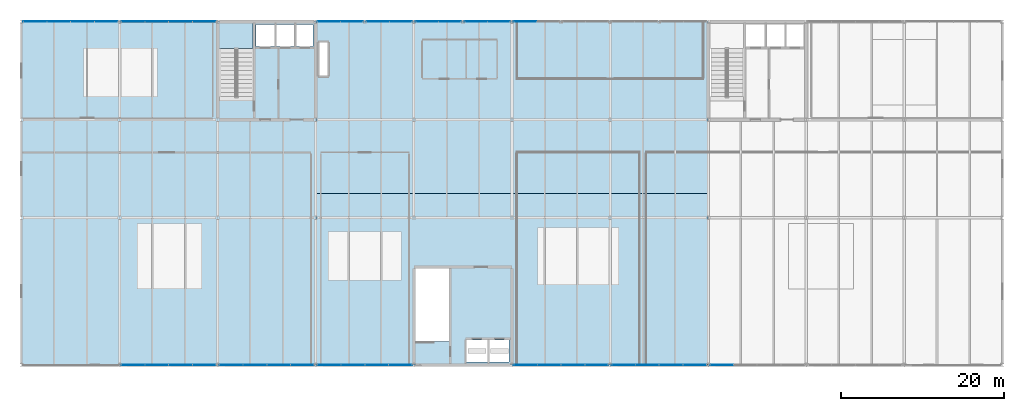
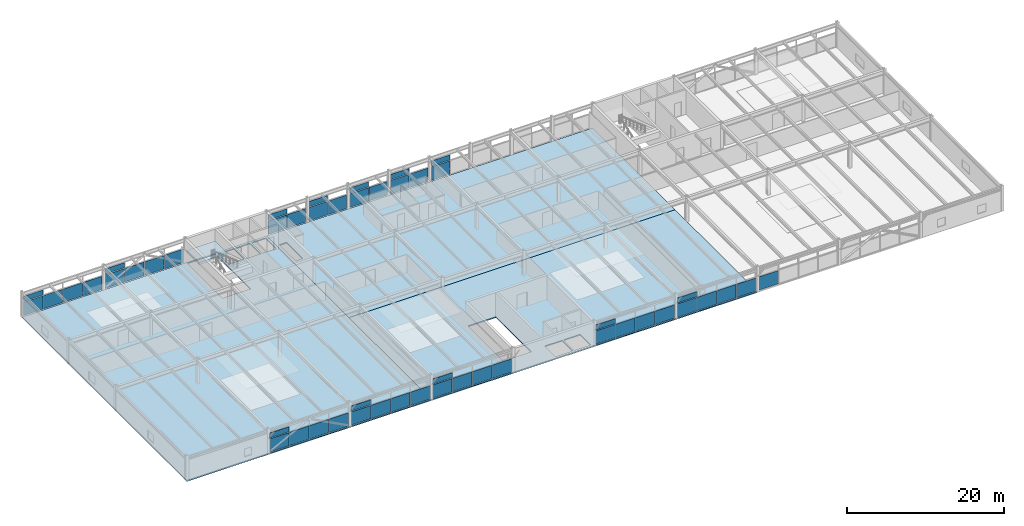
# One storey, part 43 of 52: 50 plates, 4 slabs, 14 elements without a shape of their own.
"""IFC4 building model written with IfcOpenShell, lengths in metres."""

from ifc_helpers import new_model, si_unit, direction, frame, origin, origin_2d, place, context, subcontext, project, spatial, polyline, rectangle, outline, extrude, material, layer, layer_set, type_object, element, aggregate, save


model = new_model("IFC4")

# Units and contexts
model_context = context("Model", 3, precision=1e-05, world=origin(), true_north=direction((0.0, 1.0)))
body_context = subcontext(model_context, "Body", "Model", "MODEL_VIEW")
ifc_project = project(units=[si_unit("LENGTHUNIT", "METRE"), si_unit("AREAUNIT", "SQUARE_METRE"), si_unit("VOLUMEUNIT", "CUBIC_METRE"), si_unit("PLANEANGLEUNIT", "RADIAN"), si_unit("MASSUNIT", "GRAM", prefix="KILO")], contexts=[model_context])

# Site, building, storey
site_placement = place(None, origin())
site = spatial("IfcSite", under=ifc_project, at=site_placement, CompositionType="ELEMENT")
building_placement = place(site_placement, origin())
building = spatial("IfcBuilding", under=site, at=building_placement, Name="Girod Span Mobility Hub", CompositionType="ELEMENT")
storey_placement = place(building_placement, frame((0.0, 0.0, 45.60009765625)))
storey = spatial("IfcBuildingStorey", under=building, at=storey_placement, Name="L11", CompositionType="ELEMENT", Elevation=45.60009765625)

# Curtain wall, plate
ifc_material_1 = material(Name="Thermally Broken Anodised Aluminium", Category="aluminium")
curtain_wall_type_1 = type_object("IfcCurtainWallType", Name="CW-561X330", PredefinedType="USERDEFINED", material=ifc_material_1)
curtain_wall_1_placement = place(storey_placement, origin())
curtain_wall_1 = element("IfcCurtainWall", 1, at=curtain_wall_1_placement, inside=storey, type_object=curtain_wall_type_1, Name="Unitised Curtain Wall CW-L11-N06W L11", ObjectType="UNITISED CURTAIN WALL", PredefinedType="USERDEFINED")
ifc_material_2 = material(Name="Double Low-E Insulated Glazing", Category="glass")
ifc_layer_1 = layer(ifc_material_2, 0.05810546875)
ifc_layer_set_1 = layer_set([ifc_layer_1], Name="Double Low-E Insulated Glazing")
plate_type_1 = type_object("IfcPlateType", Name="PLT-SPN-2734X843X58", PredefinedType="CURTAIN_PANEL", material=ifc_layer_set_1)
plate_1_placement = place(storey_placement, frame((61.599365234375, 69.0, 2.373046875), z_axis=(0.0, 0.0, 1.0), x_axis=(1.0, 0.0, 0.0)))
plate_1 = element("IfcPlate", 2, at=plate_1_placement, type_object=plate_type_1, Name="Spandrel Glazing Panel CW-L11-N06W-S1", PredefinedType="CURTAIN_PANEL", context=body_context, shape_type="SweptSolid", body=[
    extrude(rectangle(XDim=2.73974609375, YDim=0.05810546875, at=origin_2d()), origin(), (0.0, 0.0, 1.0), 0.802978515625),
])

curtain_wall_2_placement = place(storey_placement, origin())
curtain_wall_2 = element("IfcCurtainWall", 3, at=curtain_wall_2_placement, inside=storey, type_object=curtain_wall_type_1, Name="Unitised Curtain Wall CW-L11-N06E L11", ObjectType="UNITISED CURTAIN WALL", PredefinedType="USERDEFINED")
plate_2_placement = place(storey_placement, frame((67.596923828125, 69.0, 2.373046875), z_axis=(0.0, 0.0, 1.0), x_axis=(1.0, 0.0, 0.0)))
plate_2 = element("IfcPlate", 4, at=plate_2_placement, type_object=plate_type_1, Name="Spandrel Glazing Panel CW-L11-N06E-S1", PredefinedType="CURTAIN_PANEL", context=body_context, shape_type="SweptSolid", body=[
    extrude(rectangle(XDim=2.73974609375, YDim=0.05810546875, at=origin_2d()), origin(), (0.0, 0.0, 1.0), 0.802978515625),
])

curtain_wall_3_placement = place(storey_placement, origin())
curtain_wall_3 = element("IfcCurtainWall", 5, at=curtain_wall_3_placement, inside=storey, type_object=curtain_wall_type_1, Name="Unitised Curtain Wall CW-L11-N07W L11", ObjectType="UNITISED CURTAIN WALL", PredefinedType="USERDEFINED")
plate_3_placement = place(storey_placement, frame((73.599365234375, 69.0, 2.373046875), z_axis=(0.0, 0.0, 1.0), x_axis=(1.0, 0.0, 0.0)))
plate_3 = element("IfcPlate", 6, at=plate_3_placement, type_object=plate_type_1, Name="Spandrel Glazing Panel CW-L11-N07W-S1", PredefinedType="CURTAIN_PANEL", context=body_context, shape_type="SweptSolid", body=[
    extrude(rectangle(XDim=2.73974609375, YDim=0.05810546875, at=origin_2d()), origin(), (0.0, 0.0, 1.0), 0.802978515625),
])

curtain_wall_4_placement = place(storey_placement, origin())
curtain_wall_4 = element("IfcCurtainWall", 7, at=curtain_wall_4_placement, inside=storey, type_object=curtain_wall_type_1, Name="Unitised Curtain Wall CW-L11-N07E L11", ObjectType="UNITISED CURTAIN WALL", PredefinedType="USERDEFINED")
plate_4_placement = place(storey_placement, frame((79.596923828125, 69.0, 2.373046875), z_axis=(0.0, 0.0, 1.0), x_axis=(1.0, 0.0, 0.0)))
plate_4 = element("IfcPlate", 8, at=plate_4_placement, type_object=plate_type_1, Name="Spandrel Glazing Panel CW-L11-N07E-S1", PredefinedType="CURTAIN_PANEL", context=body_context, shape_type="SweptSolid", body=[
    extrude(rectangle(XDim=2.73974609375, YDim=0.05810546875, at=origin_2d()), origin(), (0.0, 0.0, 1.0), 0.802978515625),
])

curtain_wall_5_placement = place(storey_placement, origin())
curtain_wall_5 = element("IfcCurtainWall", 9, at=curtain_wall_5_placement, inside=storey, type_object=curtain_wall_type_1, Name="Unitised Curtain Wall CW-L11-N08W L11", ObjectType="UNITISED CURTAIN WALL", PredefinedType="USERDEFINED")
plate_5_placement = place(storey_placement, frame((85.599365234375, 69.0, 2.373046875), z_axis=(0.0, 0.0, 1.0), x_axis=(1.0, 0.0, 0.0)))
plate_5 = element("IfcPlate", 10, at=plate_5_placement, type_object=plate_type_1, Name="Spandrel Glazing Panel CW-L11-N08W-S1", PredefinedType="CURTAIN_PANEL", context=body_context, shape_type="SweptSolid", body=[
    extrude(rectangle(XDim=2.73974609375, YDim=0.05810546875, at=origin_2d()), origin(), (0.0, 0.0, 1.0), 0.802978515625),
])

ifc_material_3 = material(Name="Thermally Broken Anodised Aluminium", Category="aluminium")
curtain_wall_type_2 = type_object("IfcCurtainWallType", Name="CW-1161X330", PredefinedType="USERDEFINED", material=ifc_material_3)
curtain_wall_6_placement = place(storey_placement, origin())
curtain_wall_6 = element("IfcCurtainWall", 11, at=curtain_wall_6_placement, inside=storey, type_object=curtain_wall_type_2, Name="Unitised Curtain Wall CW-L11-N04 L11", ObjectType="UNITISED CURTAIN WALL", PredefinedType="USERDEFINED")
ifc_material_4 = material(Name="Double Low-E Insulated Glazing", Category="glass")
ifc_layer_2 = layer(ifc_material_4, 0.05810546875)
ifc_layer_set_2 = layer_set([ifc_layer_2], Name="Double Low-E Insulated Glazing")
plate_type_2 = type_object("IfcPlateType", Name="PLT-SPN-2832X843X58", PredefinedType="CURTAIN_PANEL", material=ifc_layer_set_2)
plate_6_placement = place(storey_placement, frame((37.64599609375, 69.0, 2.373046875), z_axis=(0.0, 0.0, 1.0), x_axis=(1.0, 0.0, 0.0)))
plate_6 = element("IfcPlate", 12, at=plate_6_placement, type_object=plate_type_2, Name="Spandrel Glazing Panel CW-L11-N04-S1", PredefinedType="CURTAIN_PANEL", context=body_context, shape_type="SweptSolid", body=[
    extrude(rectangle(XDim=2.837890625, YDim=0.05810546875, at=origin_2d()), origin(), (0.0, 0.0, 1.0), 0.802978515625),
])

ifc_material_5 = material(Name="Thermally Broken Anodised Aluminium", Category="aluminium")
curtain_wall_type_3 = type_object("IfcCurtainWallType", Name="CW-1161X324", PredefinedType="USERDEFINED", material=ifc_material_5)
curtain_wall_7_placement = place(storey_placement, origin())
curtain_wall_7 = element("IfcCurtainWall", 13, at=curtain_wall_7_placement, inside=storey, type_object=curtain_wall_type_3, Name="Unitised Curtain Wall CW-L11-S04 L11", ObjectType="UNITISED CURTAIN WALL", PredefinedType="USERDEFINED")
ifc_material_6 = material(Name="Double Low-E Insulated Glazing", Category="glass")
ifc_layer_3 = layer(ifc_material_6, 0.05810546875)
ifc_layer_set_3 = layer_set([ifc_layer_3], Name="Double Low-E Insulated Glazing")
plate_type_3 = type_object("IfcPlateType", Name="PLT-SPN-2833X826X58", PredefinedType="CURTAIN_PANEL", material=ifc_layer_set_3)
plate_7_placement = place(storey_placement, frame((37.646240234375, 27.0, 2.329833984375), z_axis=(0.0, 0.0, 1.0), x_axis=(1.0, 0.0, 0.0)))
plate_7 = element("IfcPlate", 14, at=plate_7_placement, type_object=plate_type_3, Name="Spandrel Glazing Panel CW-L11-S04-S1", PredefinedType="CURTAIN_PANEL", context=body_context, shape_type="SweptSolid", body=[
    extrude(rectangle(XDim=2.83837890625, YDim=0.05810546875, at=origin_2d()), origin(), (0.0, 0.0, 1.0), 0.7861328125),
])

curtain_wall_8_placement = place(storey_placement, origin())
curtain_wall_8 = element("IfcCurtainWall", 15, at=curtain_wall_8_placement, inside=storey, type_object=curtain_wall_type_3, Name="Unitised Curtain Wall CW-L11-S05 L11", ObjectType="UNITISED CURTAIN WALL", PredefinedType="USERDEFINED")
plate_8_placement = place(storey_placement, frame((49.646240234375, 27.0, 2.329833984375), z_axis=(0.0, 0.0, 1.0), x_axis=(1.0, 0.0, 0.0)))
plate_8 = element("IfcPlate", 16, at=plate_8_placement, type_object=plate_type_3, Name="Spandrel Glazing Panel CW-L11-S05-S1", PredefinedType="CURTAIN_PANEL", context=body_context, shape_type="SweptSolid", body=[
    extrude(rectangle(XDim=2.83837890625, YDim=0.05810546875, at=origin_2d()), origin(), (0.0, 0.0, 1.0), 0.7861328125),
])

curtain_wall_9_placement = place(storey_placement, origin())
curtain_wall_9 = element("IfcCurtainWall", 17, at=curtain_wall_9_placement, inside=storey, type_object=curtain_wall_type_3, Name="Unitised Curtain Wall CW-L11-S06 L11", ObjectType="UNITISED CURTAIN WALL", PredefinedType="USERDEFINED")
plate_9_placement = place(storey_placement, frame((61.646240234375, 27.0, 2.329833984375), z_axis=(0.0, 0.0, 1.0), x_axis=(1.0, 0.0, 0.0)))
plate_9 = element("IfcPlate", 18, at=plate_9_placement, type_object=plate_type_3, Name="Spandrel Glazing Panel CW-L11-S06-S1", PredefinedType="CURTAIN_PANEL", context=body_context, shape_type="SweptSolid", body=[
    extrude(rectangle(XDim=2.83837890625, YDim=0.05810546875, at=origin_2d()), origin(), (0.0, 0.0, 1.0), 0.7861328125),
])

curtain_wall_10_placement = place(storey_placement, origin())
curtain_wall_10 = element("IfcCurtainWall", 19, at=curtain_wall_10_placement, inside=storey, type_object=curtain_wall_type_3, Name="Unitised Curtain Wall CW-L11-S08 L11", ObjectType="UNITISED CURTAIN WALL", PredefinedType="USERDEFINED")
plate_10_placement = place(storey_placement, frame((85.646240234375, 27.0, 2.329833984375), z_axis=(0.0, 0.0, 1.0), x_axis=(1.0, 0.0, 0.0)))
plate_10 = element("IfcPlate", 20, at=plate_10_placement, type_object=plate_type_3, Name="Spandrel Glazing Panel CW-L11-S08-S1", PredefinedType="CURTAIN_PANEL", context=body_context, shape_type="SweptSolid", body=[
    extrude(rectangle(XDim=2.83837890625, YDim=0.05810546875, at=origin_2d()), origin(), (0.0, 0.0, 1.0), 0.7861328125),
])

curtain_wall_11_placement = place(storey_placement, origin())
curtain_wall_11 = element("IfcCurtainWall", 21, at=curtain_wall_11_placement, inside=storey, type_object=curtain_wall_type_3, Name="Unitised Curtain Wall CW-L11-S09 L11", ObjectType="UNITISED CURTAIN WALL", PredefinedType="USERDEFINED")
plate_11_placement = place(storey_placement, frame((97.646240234375, 27.0, 2.329833984375), z_axis=(0.0, 0.0, 1.0), x_axis=(1.0, 0.0, 0.0)))
plate_11 = element("IfcPlate", 22, at=plate_11_placement, type_object=plate_type_3, Name="Spandrel Glazing Panel CW-L11-S09-S1", PredefinedType="CURTAIN_PANEL", context=body_context, shape_type="SweptSolid", body=[
    extrude(rectangle(XDim=2.83837890625, YDim=0.05810546875, at=origin_2d()), origin(), (0.0, 0.0, 1.0), 0.7861328125),
])

curtain_wall_12_placement = place(storey_placement, origin())
curtain_wall_12 = element("IfcCurtainWall", 23, at=curtain_wall_12_placement, inside=storey, type_object=curtain_wall_type_3, Name="Unitised Curtain Wall CW-L11-N03 L11", ObjectType="UNITISED CURTAIN WALL", PredefinedType="USERDEFINED")
plate_12_placement = place(storey_placement, frame((25.646240234375, 69.0, 2.329833984375), z_axis=(0.0, 0.0, 1.0), x_axis=(1.0, 0.0, 0.0)))
plate_12 = element("IfcPlate", 24, at=plate_12_placement, type_object=plate_type_3, Name="Spandrel Glazing Panel CW-L11-N03-S1", PredefinedType="CURTAIN_PANEL", context=body_context, shape_type="SweptSolid", body=[
    extrude(rectangle(XDim=2.83837890625, YDim=0.05810546875, at=origin_2d()), origin(), (0.0, 0.0, 1.0), 0.7861328125),
])

# Plate
ifc_material_7 = material(Name="Double Low-E Insulated Glazing", Category="glass")
ifc_layer_4 = layer(ifc_material_7, 0.0458984375)
ifc_layer_set_4 = layer_set([ifc_layer_4], Name="Double Low-E Insulated Glazing")
plate_type_4 = type_object("IfcPlateType", Name="PLT-VIS-2734X2373X46", PredefinedType="CURTAIN_PANEL", material=ifc_layer_set_4)
plate_13_placement = place(storey_placement, frame((61.599365234375, 69.0, 0.14013671875), z_axis=(0.0, 0.0, 1.0), x_axis=(1.0, 0.0, 0.0)))
plate_13 = element("IfcPlate", 25, at=plate_13_placement, type_object=plate_type_4, Name="Vision Glazing Panel CW-L11-N06W-V1", PredefinedType="CURTAIN_PANEL", context=body_context, shape_type="SweptSolid", body=[
    extrude(rectangle(XDim=2.73974609375, YDim=0.0458984375, at=origin_2d()), origin(), (0.0, 0.0, 1.0), 2.113037109375),
])

plate_14_placement = place(storey_placement, frame((64.403076171875, 69.0, 0.14013671875), z_axis=(0.0, 0.0, 1.0), x_axis=(1.0, 0.0, 0.0)))
plate_14 = element("IfcPlate", 26, at=plate_14_placement, type_object=plate_type_4, Name="Vision Glazing Panel CW-L11-N06W-V2", PredefinedType="CURTAIN_PANEL", context=body_context, shape_type="SweptSolid", body=[
    extrude(rectangle(XDim=2.73974609375, YDim=0.0458984375, at=origin_2d()), origin(), (0.0, 0.0, 1.0), 2.113037109375),
])

aggregate(curtain_wall_1, [plate_13, plate_1, plate_14])

plate_15_placement = place(storey_placement, frame((67.596923828125, 69.0, 0.14013671875), z_axis=(0.0, 0.0, 1.0), x_axis=(1.0, 0.0, 0.0)))
plate_15 = element("IfcPlate", 27, at=plate_15_placement, type_object=plate_type_4, Name="Vision Glazing Panel CW-L11-N06E-V1", PredefinedType="CURTAIN_PANEL", context=body_context, shape_type="SweptSolid", body=[
    extrude(rectangle(XDim=2.73974609375, YDim=0.0458984375, at=origin_2d()), origin(), (0.0, 0.0, 1.0), 2.113037109375),
])

plate_16_placement = place(storey_placement, frame((70.400634765625, 69.0, 0.14013671875), z_axis=(0.0, 0.0, 1.0), x_axis=(1.0, 0.0, 0.0)))
plate_16 = element("IfcPlate", 28, at=plate_16_placement, type_object=plate_type_4, Name="Vision Glazing Panel CW-L11-N06E-V2", PredefinedType="CURTAIN_PANEL", context=body_context, shape_type="SweptSolid", body=[
    extrude(rectangle(XDim=2.73974609375, YDim=0.0458984375, at=origin_2d()), origin(), (0.0, 0.0, 1.0), 2.113037109375),
])

aggregate(curtain_wall_2, [plate_15, plate_2, plate_16])

plate_17_placement = place(storey_placement, frame((73.599365234375, 69.0, 0.14013671875), z_axis=(0.0, 0.0, 1.0), x_axis=(1.0, 0.0, 0.0)))
plate_17 = element("IfcPlate", 29, at=plate_17_placement, type_object=plate_type_4, Name="Vision Glazing Panel CW-L11-N07W-V1", PredefinedType="CURTAIN_PANEL", context=body_context, shape_type="SweptSolid", body=[
    extrude(rectangle(XDim=2.73974609375, YDim=0.0458984375, at=origin_2d()), origin(), (0.0, 0.0, 1.0), 2.113037109375),
])

plate_18_placement = place(storey_placement, frame((76.403076171875, 69.0, 0.14013671875), z_axis=(0.0, 0.0, 1.0), x_axis=(1.0, 0.0, 0.0)))
plate_18 = element("IfcPlate", 30, at=plate_18_placement, type_object=plate_type_4, Name="Vision Glazing Panel CW-L11-N07W-V2", PredefinedType="CURTAIN_PANEL", context=body_context, shape_type="SweptSolid", body=[
    extrude(rectangle(XDim=2.73974609375, YDim=0.0458984375, at=origin_2d()), origin(), (0.0, 0.0, 1.0), 2.113037109375),
])

aggregate(curtain_wall_3, [plate_17, plate_3, plate_18])

plate_19_placement = place(storey_placement, frame((79.596923828125, 69.0, 0.14013671875), z_axis=(0.0, 0.0, 1.0), x_axis=(1.0, 0.0, 0.0)))
plate_19 = element("IfcPlate", 31, at=plate_19_placement, type_object=plate_type_4, Name="Vision Glazing Panel CW-L11-N07E-V1", PredefinedType="CURTAIN_PANEL", context=body_context, shape_type="SweptSolid", body=[
    extrude(rectangle(XDim=2.73974609375, YDim=0.0458984375, at=origin_2d()), origin(), (0.0, 0.0, 1.0), 2.113037109375),
])

plate_20_placement = place(storey_placement, frame((82.400634765625, 69.0, 0.14013671875), z_axis=(0.0, 0.0, 1.0), x_axis=(1.0, 0.0, 0.0)))
plate_20 = element("IfcPlate", 32, at=plate_20_placement, type_object=plate_type_4, Name="Vision Glazing Panel CW-L11-N07E-V2", PredefinedType="CURTAIN_PANEL", context=body_context, shape_type="SweptSolid", body=[
    extrude(rectangle(XDim=2.73974609375, YDim=0.0458984375, at=origin_2d()), origin(), (0.0, 0.0, 1.0), 2.113037109375),
])

aggregate(curtain_wall_4, [plate_19, plate_4, plate_20])

plate_21_placement = place(storey_placement, frame((85.599365234375, 69.0, 0.14013671875), z_axis=(0.0, 0.0, 1.0), x_axis=(1.0, 0.0, 0.0)))
plate_21 = element("IfcPlate", 33, at=plate_21_placement, type_object=plate_type_4, Name="Vision Glazing Panel CW-L11-N08W-V1", PredefinedType="CURTAIN_PANEL", context=body_context, shape_type="SweptSolid", body=[
    extrude(rectangle(XDim=2.73974609375, YDim=0.0458984375, at=origin_2d()), origin(), (0.0, 0.0, 1.0), 2.113037109375),
])

aggregate(curtain_wall_5, [plate_21, plate_5])

ifc_material_8 = material(Name="Double Low-E Insulated Glazing", Category="glass")
ifc_layer_5 = layer(ifc_material_8, 0.0458984375)
ifc_layer_set_5 = layer_set([ifc_layer_5], Name="Double Low-E Insulated Glazing")
plate_type_5 = type_object("IfcPlateType", Name="PLT-VIS-2832X2373X46", PredefinedType="CURTAIN_PANEL", material=ifc_layer_set_5)
plate_22_placement = place(storey_placement, frame((37.64599609375, 69.0, 0.14013671875), z_axis=(0.0, 0.0, 1.0), x_axis=(1.0, 0.0, 0.0)))
plate_22 = element("IfcPlate", 34, at=plate_22_placement, type_object=plate_type_5, Name="Vision Glazing Panel CW-L11-N04-V1", PredefinedType="CURTAIN_PANEL", context=body_context, shape_type="SweptSolid", body=[
    extrude(rectangle(XDim=2.837890625, YDim=0.0458984375, at=origin_2d()), origin(), (0.0, 0.0, 1.0), 2.113037109375),
])

plate_23_placement = place(storey_placement, frame((40.5478515625, 69.0, 0.14013671875), z_axis=(0.0, 0.0, 1.0), x_axis=(1.0, 0.0, 0.0)))
plate_23 = element("IfcPlate", 35, at=plate_23_placement, type_object=plate_type_5, Name="Vision Glazing Panel CW-L11-N04-V2", PredefinedType="CURTAIN_PANEL", context=body_context, shape_type="SweptSolid", body=[
    extrude(rectangle(XDim=2.837890625, YDim=0.0458984375, at=origin_2d()), origin(), (0.0, 0.0, 1.0), 2.113037109375),
])

plate_24_placement = place(storey_placement, frame((43.44970703125, 69.0, 0.14013671875), z_axis=(0.0, 0.0, 1.0), x_axis=(1.0, 0.0, 0.0)))
plate_24 = element("IfcPlate", 36, at=plate_24_placement, type_object=plate_type_5, Name="Vision Glazing Panel CW-L11-N04-V3", PredefinedType="CURTAIN_PANEL", context=body_context, shape_type="SweptSolid", body=[
    extrude(rectangle(XDim=2.837890625, YDim=0.0458984375, at=origin_2d()), origin(), (0.0, 0.0, 1.0), 2.113037109375),
])

plate_25_placement = place(storey_placement, frame((46.3515625, 69.0, 0.14013671875), z_axis=(0.0, 0.0, 1.0), x_axis=(1.0, 0.0, 0.0)))
plate_25 = element("IfcPlate", 37, at=plate_25_placement, type_object=plate_type_5, Name="Vision Glazing Panel CW-L11-N04-V4", PredefinedType="CURTAIN_PANEL", context=body_context, shape_type="SweptSolid", body=[
    extrude(rectangle(XDim=2.837890625, YDim=0.0458984375, at=origin_2d()), origin(), (0.0, 0.0, 1.0), 2.113037109375),
])

aggregate(curtain_wall_6, [plate_22, plate_6, plate_23, plate_24, plate_25])

ifc_material_9 = material(Name="Double Low-E Insulated Glazing", Category="glass")
ifc_layer_6 = layer(ifc_material_9, 0.0458984375)
ifc_layer_set_6 = layer_set([ifc_layer_6], Name="Double Low-E Insulated Glazing")
plate_type_6 = type_object("IfcPlateType", Name="PLT-VIS-2833X2330X46", PredefinedType="CURTAIN_PANEL", material=ifc_layer_set_6)
plate_26_placement = place(storey_placement, frame((37.646240234375, 27.0, 0.139892578125), z_axis=(0.0, 0.0, 1.0), x_axis=(1.0, 0.0, 0.0)))
plate_26 = element("IfcPlate", 38, at=plate_26_placement, type_object=plate_type_6, Name="Vision Glazing Panel CW-L11-S04-V1", PredefinedType="CURTAIN_PANEL", context=body_context, shape_type="SweptSolid", body=[
    extrude(rectangle(XDim=2.83837890625, YDim=0.0458984375, at=origin_2d()), origin(), (0.0, 0.0, 1.0), 2.06982421875),
])

plate_27_placement = place(storey_placement, frame((40.548828125, 27.0, 0.139892578125), z_axis=(0.0, 0.0, 1.0), x_axis=(1.0, 0.0, 0.0)))
plate_27 = element("IfcPlate", 39, at=plate_27_placement, type_object=plate_type_6, Name="Vision Glazing Panel CW-L11-S04-V2", PredefinedType="CURTAIN_PANEL", context=body_context, shape_type="SweptSolid", body=[
    extrude(rectangle(XDim=2.83837890625, YDim=0.0458984375, at=origin_2d()), origin(), (0.0, 0.0, 1.0), 2.06982421875),
])

plate_28_placement = place(storey_placement, frame((43.451171875, 27.0, 0.139892578125), z_axis=(0.0, 0.0, 1.0), x_axis=(1.0, 0.0, 0.0)))
plate_28 = element("IfcPlate", 40, at=plate_28_placement, type_object=plate_type_6, Name="Vision Glazing Panel CW-L11-S04-V3", PredefinedType="CURTAIN_PANEL", context=body_context, shape_type="SweptSolid", body=[
    extrude(rectangle(XDim=2.83837890625, YDim=0.0458984375, at=origin_2d()), origin(), (0.0, 0.0, 1.0), 2.06982421875),
])

plate_29_placement = place(storey_placement, frame((46.353759765625, 27.0, 0.139892578125), z_axis=(0.0, 0.0, 1.0), x_axis=(1.0, 0.0, 0.0)))
plate_29 = element("IfcPlate", 41, at=plate_29_placement, type_object=plate_type_6, Name="Vision Glazing Panel CW-L11-S04-V4", PredefinedType="CURTAIN_PANEL", context=body_context, shape_type="SweptSolid", body=[
    extrude(rectangle(XDim=2.83837890625, YDim=0.0458984375, at=origin_2d()), origin(), (0.0, 0.0, 1.0), 2.06982421875),
])

aggregate(curtain_wall_7, [plate_26, plate_7, plate_27, plate_28, plate_29])

plate_30_placement = place(storey_placement, frame((49.646240234375, 27.0, 0.139892578125), z_axis=(0.0, 0.0, 1.0), x_axis=(1.0, 0.0, 0.0)))
plate_30 = element("IfcPlate", 42, at=plate_30_placement, type_object=plate_type_6, Name="Vision Glazing Panel CW-L11-S05-V1", PredefinedType="CURTAIN_PANEL", context=body_context, shape_type="SweptSolid", body=[
    extrude(rectangle(XDim=2.83837890625, YDim=0.0458984375, at=origin_2d()), origin(), (0.0, 0.0, 1.0), 2.06982421875),
])

plate_31_placement = place(storey_placement, frame((52.548828125, 27.0, 0.139892578125), z_axis=(0.0, 0.0, 1.0), x_axis=(1.0, 0.0, 0.0)))
plate_31 = element("IfcPlate", 43, at=plate_31_placement, type_object=plate_type_6, Name="Vision Glazing Panel CW-L11-S05-V2", PredefinedType="CURTAIN_PANEL", context=body_context, shape_type="SweptSolid", body=[
    extrude(rectangle(XDim=2.83837890625, YDim=0.0458984375, at=origin_2d()), origin(), (0.0, 0.0, 1.0), 2.06982421875),
])

plate_32_placement = place(storey_placement, frame((55.451171875, 27.0, 0.139892578125), z_axis=(0.0, 0.0, 1.0), x_axis=(1.0, 0.0, 0.0)))
plate_32 = element("IfcPlate", 44, at=plate_32_placement, type_object=plate_type_6, Name="Vision Glazing Panel CW-L11-S05-V3", PredefinedType="CURTAIN_PANEL", context=body_context, shape_type="SweptSolid", body=[
    extrude(rectangle(XDim=2.83837890625, YDim=0.0458984375, at=origin_2d()), origin(), (0.0, 0.0, 1.0), 2.06982421875),
])

plate_33_placement = place(storey_placement, frame((58.353759765625, 27.0, 0.139892578125), z_axis=(0.0, 0.0, 1.0), x_axis=(1.0, 0.0, 0.0)))
plate_33 = element("IfcPlate", 45, at=plate_33_placement, type_object=plate_type_6, Name="Vision Glazing Panel CW-L11-S05-V4", PredefinedType="CURTAIN_PANEL", context=body_context, shape_type="SweptSolid", body=[
    extrude(rectangle(XDim=2.83837890625, YDim=0.0458984375, at=origin_2d()), origin(), (0.0, 0.0, 1.0), 2.06982421875),
])

aggregate(curtain_wall_8, [plate_30, plate_8, plate_31, plate_32, plate_33])

plate_34_placement = place(storey_placement, frame((61.646240234375, 27.0, 0.139892578125), z_axis=(0.0, 0.0, 1.0), x_axis=(1.0, 0.0, 0.0)))
plate_34 = element("IfcPlate", 46, at=plate_34_placement, type_object=plate_type_6, Name="Vision Glazing Panel CW-L11-S06-V1", PredefinedType="CURTAIN_PANEL", context=body_context, shape_type="SweptSolid", body=[
    extrude(rectangle(XDim=2.83837890625, YDim=0.0458984375, at=origin_2d()), origin(), (0.0, 0.0, 1.0), 2.06982421875),
])

plate_35_placement = place(storey_placement, frame((64.548828125, 27.0, 0.139892578125), z_axis=(0.0, 0.0, 1.0), x_axis=(1.0, 0.0, 0.0)))
plate_35 = element("IfcPlate", 47, at=plate_35_placement, type_object=plate_type_6, Name="Vision Glazing Panel CW-L11-S06-V2", PredefinedType="CURTAIN_PANEL", context=body_context, shape_type="SweptSolid", body=[
    extrude(rectangle(XDim=2.83837890625, YDim=0.0458984375, at=origin_2d()), origin(), (0.0, 0.0, 1.0), 2.06982421875),
])

plate_36_placement = place(storey_placement, frame((67.451171875, 27.0, 0.139892578125), z_axis=(0.0, 0.0, 1.0), x_axis=(1.0, 0.0, 0.0)))
plate_36 = element("IfcPlate", 48, at=plate_36_placement, type_object=plate_type_6, Name="Vision Glazing Panel CW-L11-S06-V3", PredefinedType="CURTAIN_PANEL", context=body_context, shape_type="SweptSolid", body=[
    extrude(rectangle(XDim=2.83837890625, YDim=0.0458984375, at=origin_2d()), origin(), (0.0, 0.0, 1.0), 2.06982421875),
])

plate_37_placement = place(storey_placement, frame((70.353759765625, 27.0, 0.139892578125), z_axis=(0.0, 0.0, 1.0), x_axis=(1.0, 0.0, 0.0)))
plate_37 = element("IfcPlate", 49, at=plate_37_placement, type_object=plate_type_6, Name="Vision Glazing Panel CW-L11-S06-V4", PredefinedType="CURTAIN_PANEL", context=body_context, shape_type="SweptSolid", body=[
    extrude(rectangle(XDim=2.83837890625, YDim=0.0458984375, at=origin_2d()), origin(), (0.0, 0.0, 1.0), 2.06982421875),
])

aggregate(curtain_wall_9, [plate_34, plate_9, plate_35, plate_36, plate_37])

plate_38_placement = place(storey_placement, frame((85.646240234375, 27.0, 0.139892578125), z_axis=(0.0, 0.0, 1.0), x_axis=(1.0, 0.0, 0.0)))
plate_38 = element("IfcPlate", 50, at=plate_38_placement, type_object=plate_type_6, Name="Vision Glazing Panel CW-L11-S08-V1", PredefinedType="CURTAIN_PANEL", context=body_context, shape_type="SweptSolid", body=[
    extrude(rectangle(XDim=2.83837890625, YDim=0.0458984375, at=origin_2d()), origin(), (0.0, 0.0, 1.0), 2.06982421875),
])

plate_39_placement = place(storey_placement, frame((88.548828125, 27.0, 0.139892578125), z_axis=(0.0, 0.0, 1.0), x_axis=(1.0, 0.0, 0.0)))
plate_39 = element("IfcPlate", 51, at=plate_39_placement, type_object=plate_type_6, Name="Vision Glazing Panel CW-L11-S08-V2", PredefinedType="CURTAIN_PANEL", context=body_context, shape_type="SweptSolid", body=[
    extrude(rectangle(XDim=2.83837890625, YDim=0.0458984375, at=origin_2d()), origin(), (0.0, 0.0, 1.0), 2.06982421875),
])

plate_40_placement = place(storey_placement, frame((91.451171875, 27.0, 0.139892578125), z_axis=(0.0, 0.0, 1.0), x_axis=(1.0, 0.0, 0.0)))
plate_40 = element("IfcPlate", 52, at=plate_40_placement, type_object=plate_type_6, Name="Vision Glazing Panel CW-L11-S08-V3", PredefinedType="CURTAIN_PANEL", context=body_context, shape_type="SweptSolid", body=[
    extrude(rectangle(XDim=2.83837890625, YDim=0.0458984375, at=origin_2d()), origin(), (0.0, 0.0, 1.0), 2.06982421875),
])

plate_41_placement = place(storey_placement, frame((94.353759765625, 27.0, 0.139892578125), z_axis=(0.0, 0.0, 1.0), x_axis=(1.0, 0.0, 0.0)))
plate_41 = element("IfcPlate", 53, at=plate_41_placement, type_object=plate_type_6, Name="Vision Glazing Panel CW-L11-S08-V4", PredefinedType="CURTAIN_PANEL", context=body_context, shape_type="SweptSolid", body=[
    extrude(rectangle(XDim=2.83837890625, YDim=0.0458984375, at=origin_2d()), origin(), (0.0, 0.0, 1.0), 2.06982421875),
])

aggregate(curtain_wall_10, [plate_38, plate_10, plate_39, plate_40, plate_41])

plate_42_placement = place(storey_placement, frame((97.646240234375, 27.0, 0.139892578125), z_axis=(0.0, 0.0, 1.0), x_axis=(1.0, 0.0, 0.0)))
plate_42 = element("IfcPlate", 54, at=plate_42_placement, type_object=plate_type_6, Name="Vision Glazing Panel CW-L11-S09-V1", PredefinedType="CURTAIN_PANEL", context=body_context, shape_type="SweptSolid", body=[
    extrude(rectangle(XDim=2.83837890625, YDim=0.0458984375, at=origin_2d()), origin(), (0.0, 0.0, 1.0), 2.06982421875),
])

plate_43_placement = place(storey_placement, frame((100.548828125, 27.0, 0.139892578125), z_axis=(0.0, 0.0, 1.0), x_axis=(1.0, 0.0, 0.0)))
plate_43 = element("IfcPlate", 55, at=plate_43_placement, type_object=plate_type_6, Name="Vision Glazing Panel CW-L11-S09-V2", PredefinedType="CURTAIN_PANEL", context=body_context, shape_type="SweptSolid", body=[
    extrude(rectangle(XDim=2.83837890625, YDim=0.0458984375, at=origin_2d()), origin(), (0.0, 0.0, 1.0), 2.06982421875),
])

plate_44_placement = place(storey_placement, frame((103.451171875, 27.0, 0.139892578125), z_axis=(0.0, 0.0, 1.0), x_axis=(1.0, 0.0, 0.0)))
plate_44 = element("IfcPlate", 56, at=plate_44_placement, type_object=plate_type_6, Name="Vision Glazing Panel CW-L11-S09-V3", PredefinedType="CURTAIN_PANEL", context=body_context, shape_type="SweptSolid", body=[
    extrude(rectangle(XDim=2.83837890625, YDim=0.0458984375, at=origin_2d()), origin(), (0.0, 0.0, 1.0), 2.06982421875),
])

plate_45_placement = place(storey_placement, frame((106.353759765625, 27.0, 0.139892578125), z_axis=(0.0, 0.0, 1.0), x_axis=(1.0, 0.0, 0.0)))
plate_45 = element("IfcPlate", 57, at=plate_45_placement, type_object=plate_type_6, Name="Vision Glazing Panel CW-L11-S09-V4", PredefinedType="CURTAIN_PANEL", context=body_context, shape_type="SweptSolid", body=[
    extrude(rectangle(XDim=2.83837890625, YDim=0.0458984375, at=origin_2d()), origin(), (0.0, 0.0, 1.0), 2.06982421875),
])

aggregate(curtain_wall_11, [plate_42, plate_11, plate_43, plate_44, plate_45])

# Curtain wall, plate
curtain_wall_13_placement = place(storey_placement, origin())
curtain_wall_13 = element("IfcCurtainWall", 58, at=curtain_wall_13_placement, inside=storey, type_object=curtain_wall_type_3, Name="Unitised Curtain Wall CW-L11-S10 L11", ObjectType="UNITISED CURTAIN WALL", PredefinedType="USERDEFINED")
plate_46_placement = place(storey_placement, frame((109.646240234375, 27.0, 0.139892578125), z_axis=(0.0, 0.0, 1.0), x_axis=(1.0, 0.0, 0.0)))
plate_46 = element("IfcPlate", 59, at=plate_46_placement, type_object=plate_type_6, Name="Vision Glazing Panel CW-L11-S10-V1", PredefinedType="CURTAIN_PANEL", context=body_context, shape_type="SweptSolid", body=[
    extrude(rectangle(XDim=2.83837890625, YDim=0.0458984375, at=origin_2d()), origin(), (0.0, 0.0, 1.0), 2.06982421875),
])
aggregate(curtain_wall_13, [plate_46])

# Plate
plate_47_placement = place(storey_placement, frame((25.646240234375, 69.0, 0.139892578125), z_axis=(0.0, 0.0, 1.0), x_axis=(1.0, 0.0, 0.0)))
plate_47 = element("IfcPlate", 60, at=plate_47_placement, type_object=plate_type_6, Name="Vision Glazing Panel CW-L11-N03-V1", PredefinedType="CURTAIN_PANEL", context=body_context, shape_type="SweptSolid", body=[
    extrude(rectangle(XDim=2.83837890625, YDim=0.0458984375, at=origin_2d()), origin(), (0.0, 0.0, 1.0), 2.06982421875),
])

plate_48_placement = place(storey_placement, frame((28.548828125, 69.0, 0.139892578125), z_axis=(0.0, 0.0, 1.0), x_axis=(1.0, 0.0, 0.0)))
plate_48 = element("IfcPlate", 61, at=plate_48_placement, type_object=plate_type_6, Name="Vision Glazing Panel CW-L11-N03-V2", PredefinedType="CURTAIN_PANEL", context=body_context, shape_type="SweptSolid", body=[
    extrude(rectangle(XDim=2.83837890625, YDim=0.0458984375, at=origin_2d()), origin(), (0.0, 0.0, 1.0), 2.06982421875),
])

plate_49_placement = place(storey_placement, frame((31.451171875, 69.0, 0.139892578125), z_axis=(0.0, 0.0, 1.0), x_axis=(1.0, 0.0, 0.0)))
plate_49 = element("IfcPlate", 62, at=plate_49_placement, type_object=plate_type_6, Name="Vision Glazing Panel CW-L11-N03-V3", PredefinedType="CURTAIN_PANEL", context=body_context, shape_type="SweptSolid", body=[
    extrude(rectangle(XDim=2.83837890625, YDim=0.0458984375, at=origin_2d()), origin(), (0.0, 0.0, 1.0), 2.06982421875),
])

plate_50_placement = place(storey_placement, frame((34.353759765625, 69.0, 0.139892578125), z_axis=(0.0, 0.0, 1.0), x_axis=(1.0, 0.0, 0.0)))
plate_50 = element("IfcPlate", 63, at=plate_50_placement, type_object=plate_type_6, Name="Vision Glazing Panel CW-L11-N03-V4", PredefinedType="CURTAIN_PANEL", context=body_context, shape_type="SweptSolid", body=[
    extrude(rectangle(XDim=2.83837890625, YDim=0.0458984375, at=origin_2d()), origin(), (0.0, 0.0, 1.0), 2.06982421875),
])

aggregate(curtain_wall_12, [plate_47, plate_12, plate_48, plate_49, plate_50])

# Slabs
ifc_material_10 = material(Name="Concrete C40/50", Category="concrete")
ifc_layer_7 = layer(ifc_material_10, 0.175048828125)
ifc_layer_set_7 = layer_set([ifc_layer_7], Name="Concrete C40/50")
slab_type_1 = type_object("IfcSlabType", Name="SL-FLR-175", PredefinedType="FLOOR", material=ifc_layer_set_7)
slab_1_placement = place(storey_placement, frame((0.0, 0.0, -0.175048828125)))
element("IfcSlab", 64, at=slab_1_placement, inside=storey, type_object=slab_type_1, Name="Floor Slab L11 Sector W", PredefinedType="FLOOR", context=body_context, shape_type="SweptSolid", body=[
    extrude(outline(polyline([(24.0, 69.0), (60.0, 69.0), (60.0, 27.0), (24.0, 27.0), (24.0, 69.0)]), holes=[polyline([(48.219970703125, 68.820068359375), (48.219970703125, 59.8349609375), (52.340087890625, 59.8349609375), (52.340087890625, 68.820068359375), (48.219970703125, 68.820068359375)]), polyline([(52.64990234375, 65.949951171875), (54.949951171875, 65.949951171875), (54.949951171875, 68.64990234375), (52.64990234375, 68.64990234375), (52.64990234375, 65.949951171875)]), polyline([(55.199951171875, 68.64990234375), (55.199951171875, 65.949951171875), (57.35009765625, 65.949951171875), (57.35009765625, 68.64990234375), (55.199951171875, 68.64990234375)]), polyline([(57.60009765625, 68.64990234375), (57.60009765625, 65.949951171875), (59.64990234375, 65.949951171875), (59.64990234375, 68.64990234375), (57.60009765625, 68.64990234375)])]), origin(), (0.0, 0.0, 1.0), 0.175048828125),
])
slab_2_placement = place(storey_placement, frame((0.0, 0.0, -0.175048828125)))
element("IfcSlab", 65, at=slab_2_placement, inside=storey, type_object=slab_type_1, Name="Floor Slab L11 Sector CS", PredefinedType="FLOOR", context=body_context, shape_type="SweptSolid", body=[
    extrude(outline(polyline([(60.0, 27.0), (60.0, 48.0), (108.0, 48.0), (108.0, 27.0), (60.0, 27.0)]), holes=[polyline([(72.219970703125, 29.8349609375), (76.340087890625, 29.8349609375), (76.340087890625, 38.820068359375), (72.219970703125, 38.820068359375), (72.219970703125, 29.8349609375)]), polyline([(78.449951171875, 27.35009765625), (81.0, 27.35009765625), (81.0, 30.050048828125), (78.449951171875, 30.050048828125), (78.449951171875, 27.35009765625)]), polyline([(81.25, 30.050048828125), (81.25, 27.35009765625), (83.64990234375, 27.35009765625), (83.64990234375, 30.050048828125), (81.25, 30.050048828125)])]), origin(), (0.0, 0.0, 1.0), 0.175048828125),
])
slab_3_placement = place(storey_placement, frame((0.0, 0.0, -0.175048828125)))
element("IfcSlab", 66, at=slab_3_placement, inside=storey, type_object=slab_type_1, Name="Floor Slab L11 Sector CN", PredefinedType="FLOOR", context=body_context, shape_type="SweptSolid", body=[
    extrude(outline(polyline([(108.0, 69.0), (108.0, 48.0), (60.0, 48.0), (60.0, 69.0), (108.0, 69.0)]), holes=[polyline([(60.449951171875, 66.449951171875), (60.449951171875, 62.35009765625), (61.47998046875, 62.35009765625), (61.47998046875, 66.449951171875), (60.449951171875, 66.449951171875)])]), origin(), (0.0, 0.0, 1.0), 0.175048828125),
])

# Stair, slab
ifc_material_11 = material(Name="Concrete C40/50", Category="concrete")
stair_type = type_object("IfcStairType", Name="STR-4000-W1860", PredefinedType="HALF_TURN_STAIR", material=ifc_material_11)
stair_placement = place(storey_placement, origin())
stair = element("IfcStair", 67, at=stair_placement, inside=storey, type_object=stair_type, Name="Exit Stair ST-1 L11", PredefinedType="HALF_TURN_STAIR")
ifc_material_12 = material(Name="Concrete C40/50", Category="concrete")
ifc_layer_8 = layer(ifc_material_12, 0.35498046875)
ifc_layer_set_8 = layer_set([ifc_layer_8], Name="Concrete C40/50")
slab_type_2 = type_object("IfcSlabType", Name="SL-LND-355", PredefinedType="LANDING", material=ifc_layer_set_8)
slab_4_placement = place(storey_placement, frame((0.0, 0.0, 1.64501953125)))
slab_4 = element("IfcSlab", 68, at=slab_4_placement, type_object=slab_type_2, Name="Stair ST-1 Half-Landing L11", PredefinedType="LANDING", context=body_context, shape_type="SweptSolid", body=[
    extrude(outline(polyline([(52.3349609375, 65.68603515625), (52.3349609375, 68.8349609375), (48.1650390625, 68.8349609375), (48.1650390625, 65.68603515625), (52.3349609375, 65.68603515625)])), origin(), (0.0, 0.0, 1.0), 0.35498046875),
])
aggregate(stair, [slab_4])

save(model, "model.ifc")
